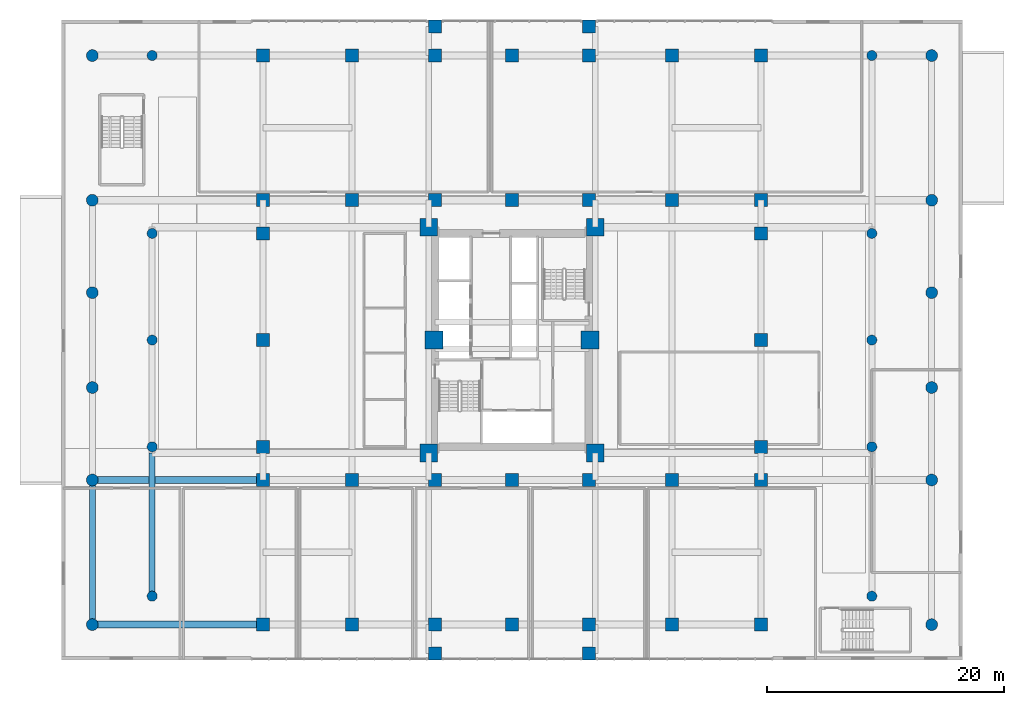
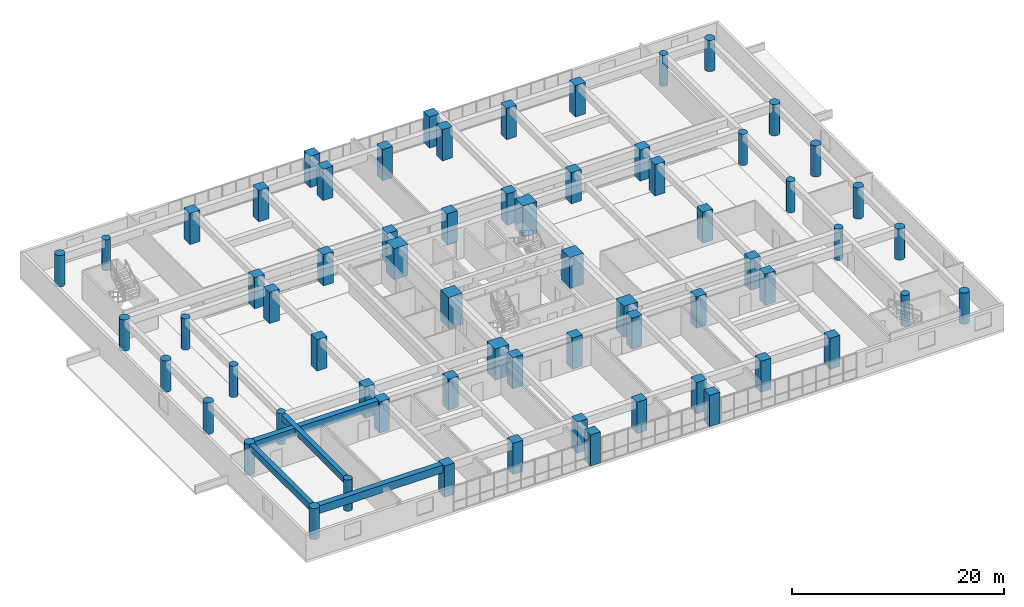
# One storey, part 1 of 27: 66 columns, 4 beams.
"""IFC4 building model written with IfcOpenShell, lengths in metres."""

import ifcopenshell
import ifcopenshell.guid

model = None  # the IFC model being written
_history = None  # IfcOwnerHistory: only IFC2X3 demands one
_inside = {}  # id of a spatial element -> (the spatial element, [elements in it])
_under = {}  # id of a project, library or spatial element -> (it, [spatial elements below it])
_declared = {}  # id of a project -> (the project, [libraries it declares])
_typed = {}  # id of a type object -> (the type object, [elements of that type])
_made_of = {}  # id of a material, layer set ... -> (it, [elements and type objects made of it])


def new_model(schema):
    """Start an empty IFC model of exactly this schema.

    Asked for "IFC4X3", IfcOpenShell would pick the latest addendum, in which some entities
    have other attributes; the version numbers below select the first issue.
    IFC2X3 requires an IfcOwnerHistory on every rooted entity: one is made here for all.
    """
    global model, _history
    if schema == "IFC4X3":
        model = ifcopenshell.file(schema_version=(4, 3, 0, 0))
    else:
        model = ifcopenshell.file(schema=schema)
    _inside.clear()
    _under.clear()
    _declared.clear()
    _typed.clear()
    _made_of.clear()
    _history = None
    if model.schema == "IFC2X3":
        org = make("IfcOrganization", Name="unknown")
        user = make(
            "IfcPersonAndOrganization",
            ThePerson=make("IfcPerson", FamilyName="unknown"),
            TheOrganization=org,
        )
        app = make(
            "IfcApplication",
            ApplicationDeveloper=org,
            Version="unknown",
            ApplicationFullName="unknown",
            ApplicationIdentifier="unknown",
        )
        _history = make(
            "IfcOwnerHistory",
            OwningUser=user,
            OwningApplication=app,
            ChangeAction="ADDED",
            CreationDate=0,
        )
    return model


def make(cls, **values):
    """One entity of the class cls with the attributes given. An attribute that is None is left unset."""
    return model.create_entity(
        cls, **{name: value for name, value in values.items() if value is not None}
    )


def rooted(cls, **values):
    """An entity with a GlobalId (a new one), such as an element, a storey or a relation."""
    return make(cls, GlobalId=ifcopenshell.guid.new(), OwnerHistory=_history, **values)


def si_unit(unit_type, name, prefix=None):
    """IfcSIUnit, for example si_unit("LENGTHUNIT", "METRE", prefix="MILLI")."""
    return make("IfcSIUnit", UnitType=unit_type, Prefix=prefix, Name=name)


def assignment(units):
    """IfcUnitAssignment: the units of a project."""
    return None if units is None else make("IfcUnitAssignment", Units=units)


def point(xyz):
    """IfcCartesianPoint."""
    return None if xyz is None else make("IfcCartesianPoint", Coordinates=xyz)


def direction(xyz):
    """IfcDirection."""
    return None if xyz is None else make("IfcDirection", DirectionRatios=xyz)


def frame(location, z_axis=None, x_axis=None):
    """IfcAxis2Placement3D, a coordinate frame: its origin and axes. An axis left out is left unset."""
    return make(
        "IfcAxis2Placement3D",
        Location=point(location),
        Axis=direction(z_axis),
        RefDirection=direction(x_axis),
    )


def frame_2d(location, x_axis=None):
    """IfcAxis2Placement2D, a coordinate frame in the plane: its origin and x axis."""
    return make(
        "IfcAxis2Placement2D", Location=point(location), RefDirection=direction(x_axis)
    )


def origin():
    """The frame at (0, 0, 0) with its axes left unset."""
    return frame((0.0, 0.0, 0.0))


def origin_2d():
    """The frame at (0, 0) in the plane with its x axis left unset."""
    return frame_2d((0.0, 0.0))


def place(relative_to, where):
    """IfcLocalPlacement: puts the frame where relative to a parent placement (None: the world)."""
    return make(
        "IfcLocalPlacement", PlacementRelTo=relative_to, RelativePlacement=where
    )


def context(
    kind, dimensions, precision=None, world=None, true_north=None, identifier=None
):
    """IfcGeometricRepresentationContext, for example the 3D "Model" context."""
    return make(
        "IfcGeometricRepresentationContext",
        ContextIdentifier=identifier,
        ContextType=kind,
        CoordinateSpaceDimension=dimensions,
        Precision=precision,
        WorldCoordinateSystem=world,
        TrueNorth=true_north,
    )


def subcontext(parent, identifier, kind, view, scale=None):
    """IfcGeometricRepresentationSubContext, for example "Body" below "Model"."""
    return make(
        "IfcGeometricRepresentationSubContext",
        ContextIdentifier=identifier,
        ContextType=kind,
        ParentContext=parent,
        TargetScale=scale,
        TargetView=view,
    )


def project(units=None, contexts=None):
    """IfcProject with its units and contexts."""
    return rooted(
        "IfcProject",
        Name="project",
        RepresentationContexts=contexts,
        UnitsInContext=assignment(units),
    )


def spatial(cls, under=None, at=None, **own):
    """A site, building, storey or space (cls), placed at a placement, below another one or the project."""
    s = rooted(cls, ObjectPlacement=at, **own)
    if under is not None:
        _under.setdefault(under.id(), (under, []))[1].append(s)
    return s


def profile(cls, at=None, kind="AREA", **sizes):
    """A parametric profile (cls). Its sizes go by their IFC names, for example OverallWidth=200.0."""
    return make(cls, ProfileType=kind, Position=at, **sizes)


def rectangle(**sizes):
    """IfcRectangleProfileDef."""
    return profile("IfcRectangleProfileDef", **sizes)


def circle(**sizes):
    """IfcCircleProfileDef."""
    return profile("IfcCircleProfileDef", **sizes)


def extrude(swept, where, along, depth):
    """IfcExtrudedAreaSolid: the profile swept, set in the frame where, extruded along a direction by depth."""
    return make(
        "IfcExtrudedAreaSolid",
        SweptArea=swept,
        Position=where,
        ExtrudedDirection=direction(along),
        Depth=depth,
    )


def shape(context_of_items, identifier, shape_type, items):
    """IfcShapeRepresentation: the items that make up one representation, for example the "Body"."""
    return make(
        "IfcShapeRepresentation",
        ContextOfItems=context_of_items,
        RepresentationIdentifier=identifier,
        RepresentationType=shape_type,
        Items=items,
    )


def source(mapping_origin, context_of_items, identifier, shape_type, items):
    """IfcRepresentationMap: a shape defined once, which mapped items show again and again."""
    return make(
        "IfcRepresentationMap",
        MappingOrigin=mapping_origin,
        MappedRepresentation=shape(context_of_items, identifier, shape_type, items),
    )


def transform(
    local_origin,
    x_axis=None,
    y_axis=None,
    z_axis=None,
    scale=None,
    scale2=None,
    scale3=None,
    uniform=True,
):
    """IfcCartesianTransformationOperator3D, or its non-uniform kind. x_axis, y_axis, z_axis: its Axis1, 2, 3."""
    if uniform:
        return make(
            "IfcCartesianTransformationOperator3D",
            Axis1=direction(x_axis),
            Axis2=direction(y_axis),
            LocalOrigin=point(local_origin),
            Scale=scale,
            Axis3=direction(z_axis),
        )
    return make(
        "IfcCartesianTransformationOperator3DnonUniform",
        Axis1=direction(x_axis),
        Axis2=direction(y_axis),
        LocalOrigin=point(local_origin),
        Scale=scale,
        Axis3=direction(z_axis),
        Scale2=scale2,
        Scale3=scale3,
    )


def mapped(mapping_source, mapping_target):
    """IfcMappedItem: shows the shape of a source again, moved by a transform."""
    return make(
        "IfcMappedItem", MappingSource=mapping_source, MappingTarget=mapping_target
    )


def material(Name=None, Category=None):
    """IfcMaterial."""
    return make("IfcMaterial", Name=Name, Category=Category)


def material_profile(
    of_material, cross_section, Name=None, Category=None, Priority=None
):
    """IfcMaterialProfile: a cross section and its material."""
    return make(
        "IfcMaterialProfile",
        Name=Name,
        Material=of_material,
        Profile=cross_section,
        Priority=Priority,
        Category=Category,
    )


def profile_set(profiles, Name=None, composite=None):
    """IfcMaterialProfileSet."""
    return make(
        "IfcMaterialProfileSet",
        Name=Name,
        MaterialProfiles=profiles,
        CompositeProfile=composite,
    )


def made_of(thing, what):
    """Note that an element or type object is made of a material, layer set ...; save() writes the relation."""
    if what is not None:
        _made_of.setdefault(what.id(), (what, []))[1].append(thing)
    return thing


def type_object(cls, material=None, **own):
    """A type object (cls), such as IfcWallType, which elements share."""
    return made_of(rooted(cls, **own), material)


def element(
    cls,
    number,
    at=None,
    inside=None,
    cuts=None,
    type_object=None,
    material=None,
    context=None,
    identifier="Body",
    shape_type=None,
    held_by="IfcProductDefinitionShape",
    body=None,
    shapes=None,
    **own,
):
    """One element of the class cls, such as IfcWall. Its Tag is "e" and its number.

    at: its placement. inside: the storey or other place that contains it. cuts: it is an
    opening in that element (IfcRelVoidsElement). A single representation is given by context,
    identifier, shape_type and body (its items); several are given by shapes. held_by: the class
    of the entity that holds the representations. save() writes the other relations.
    """
    e = rooted(cls, Tag="e%d" % number, ObjectPlacement=at, **own)
    if body is not None:
        shapes = [shape(context, identifier, shape_type, body)]
    if shapes is not None:
        e.Representation = make(held_by, Representations=shapes)
    if inside is not None:
        _inside.setdefault(inside.id(), (inside, []))[1].append(e)
    if cuts is not None:
        rooted(
            "IfcRelVoidsElement", RelatingBuildingElement=cuts, RelatedOpeningElement=e
        )
    if type_object is not None:
        _typed.setdefault(type_object.id(), (type_object, []))[1].append(e)
    return made_of(e, material)


def aggregate(whole, parts):
    """IfcRelAggregates: a whole, such as a stair, and the parts it consists of."""
    return rooted("IfcRelAggregates", RelatingObject=whole, RelatedObjects=parts)


def save(model, path):
    """Write the relations noted so far, then the file.

    IfcRelAggregates (storeys below a building ...), IfcRelContainedInSpatialStructure (elements
    in a storey), IfcRelDefinesByType, IfcRelAssociatesMaterial and IfcRelDeclares: one each for
    every whole, place, type object, material and project.
    """
    for whole, parts in _under.values():
        aggregate(whole, parts)
    for where, things in _inside.values():
        rooted(
            "IfcRelContainedInSpatialStructure",
            RelatedElements=things,
            RelatingStructure=where,
        )
    for kind, things in _typed.values():
        rooted("IfcRelDefinesByType", RelatedObjects=things, RelatingType=kind)
    for what, things in _made_of.values():
        rooted("IfcRelAssociatesMaterial", RelatedObjects=things, RelatingMaterial=what)
    for by, libraries in _declared.values():
        rooted("IfcRelDeclares", RelatingContext=by, RelatedDefinitions=libraries)
    model.write(path)


model = new_model("IFC4")

# Units and contexts
model_context = context("Model", 3, precision=1e-05, world=origin(), true_north=direction((0.0, 1.0)))
body_context = subcontext(model_context, "Body", "Model", "MODEL_VIEW")
ifc_project = project(units=[si_unit("LENGTHUNIT", "METRE"), si_unit("AREAUNIT", "SQUARE_METRE"), si_unit("VOLUMEUNIT", "CUBIC_METRE"), si_unit("PLANEANGLEUNIT", "RADIAN"), si_unit("MASSUNIT", "GRAM", prefix="KILO")], contexts=[model_context])

# Site, building, storey
site_placement = place(None, origin())
site = spatial("IfcSite", under=ifc_project, at=site_placement, CompositionType="ELEMENT")
building_placement = place(site_placement, origin())
building = spatial("IfcBuilding", under=site, at=building_placement, Name="Saelheon Loggia Tower", CompositionType="ELEMENT")
storey_placement = place(building_placement, frame((0.0, 0.0, 4.199951171875)))
storey = spatial("IfcBuildingStorey", under=building, at=storey_placement, Name="L01", CompositionType="ELEMENT", Elevation=4.199951171875)

# Columns
ifc_material_1 = material(Name="Concrete C60/75", Category="concrete")
ifc_material_profile_1 = material_profile(ifc_material_1, rectangle(XDim=1.5, YDim=1.5, at=origin_2d()), Name="RC-1500x1500")
ifc_profile_set_1 = profile_set([ifc_material_profile_1], Name="Concrete C60/75")
column_type_1 = type_object("IfcColumnType", Name="Col_Core_RC1500", PredefinedType="COLUMN", material=ifc_profile_set_1)
shared_shape_1 = source(origin(), body_context, "Body", "SweptSolid", [
    extrude(rectangle(XDim=1.5, YDim=1.5, at=origin_2d()), origin(), (0.0, 0.0, 1.0), 3.60009765625),
])
for number, where, z_axis, x_axis, name in (
    (1, (30.97998046875, 17.47998046875, 0.0), (0.0, 0.0, 1.0), (1.0, 0.0, 0.0), "L01 Core Column CR-SW"),
    (2, (45.02001953125, 17.47998046875, 0.0), (0.0, 0.0, 1.0), (1.0, 0.0, 0.0), "L01 Core Column CR-SE"),
    (3, (30.97998046875, 36.52001953125, 0.0), (0.0, 0.0, 1.0), (1.0, 0.0, 0.0), "L01 Core Column CR-NW"),
    (4, (45.02001953125, 36.52001953125, 0.0), (0.0, 0.0, 1.0), (1.0, 0.0, 0.0), "L01 Core Column CR-NE"),
    (5, (31.419921875, 27.0, 0.0), (0.0, 0.0, 1.0), (1.0, 0.0, 0.0), "L01 Core Column CR-MW"),
    (6, (44.580078125, 27.0, 0.0), (0.0, 0.0, 1.0), (1.0, 0.0, 0.0), "L01 Core Column CR-ME"),
):
    element("IfcColumn", number, at=place(storey_placement, frame(where, z_axis=z_axis, x_axis=x_axis)), inside=storey, type_object=column_type_1, Name=name, PredefinedType="COLUMN", context=body_context, shape_type="MappedRepresentation", body=[
        mapped(shared_shape_1, transform((0.0, 0.0, 0.0), scale=1.0)),
    ])
ifc_material_2 = material(Name="Concrete C50/60", Category="concrete")
ifc_material_profile_2 = material_profile(ifc_material_2, circle(Radius=0.5, at=origin_2d()), Name="CIRC-1000")
ifc_profile_set_2 = profile_set([ifc_material_profile_2], Name="Concrete C50/60")
column_type_2 = type_object("IfcColumnType", Name="Col_Podium_CIRC1000", PredefinedType="COLUMN", material=ifc_profile_set_2)
shared_shape_2 = source(origin(), body_context, "Body", "SweptSolid", [
    extrude(circle(Radius=0.5, at=origin_2d()), origin(), (0.0, 0.0, 1.0), 3.60009765625),
])
for number, where, z_axis, x_axis, name in (
    (7, (2.60009765625, 3.0, 0.0), (0.0, 0.0, 1.0), (1.0, 0.0, 0.0), "L01 Podium Column PW1"),
    (8, (73.39990234375, 3.0, 0.0), (0.0, 0.0, 1.0), (1.0, 0.0, 0.0), "L01 Podium Column PE1"),
    (9, (2.60009765625, 15.199951171875, 0.0), (0.0, 0.0, 1.0), (1.0, 0.0, 0.0), "L01 Podium Column PW2"),
    (10, (73.39990234375, 15.199951171875, 0.0), (0.0, 0.0, 1.0), (1.0, 0.0, 0.0), "L01 Podium Column PE2"),
    (11, (2.60009765625, 23.0, 0.0), (0.0, 0.0, 1.0), (1.0, 0.0, 0.0), "L01 Podium Column PW3"),
    (12, (73.39990234375, 23.0, 0.0), (0.0, 0.0, 1.0), (1.0, 0.0, 0.0), "L01 Podium Column PE3"),
    (13, (2.60009765625, 31.0, 0.0), (0.0, 0.0, 1.0), (1.0, 0.0, 0.0), "L01 Podium Column PW4"),
    (14, (73.39990234375, 31.0, 0.0), (0.0, 0.0, 1.0), (1.0, 0.0, 0.0), "L01 Podium Column PE4"),
    (15, (2.60009765625, 38.800048828125, 0.0), (0.0, 0.0, 1.0), (1.0, 0.0, 0.0), "L01 Podium Column PW5"),
    (16, (73.39990234375, 38.800048828125, 0.0), (0.0, 0.0, 1.0), (1.0, 0.0, 0.0), "L01 Podium Column PE5"),
    (17, (2.60009765625, 51.0, 0.0), (0.0, 0.0, 1.0), (1.0, 0.0, 0.0), "L01 Podium Column PW6"),
    (18, (73.39990234375, 51.0, 0.0), (0.0, 0.0, 1.0), (1.0, 0.0, 0.0), "L01 Podium Column PE6"),
):
    element("IfcColumn", number, at=place(storey_placement, frame(where, z_axis=z_axis, x_axis=x_axis)), inside=storey, type_object=column_type_2, Name=name, PredefinedType="COLUMN", context=body_context, shape_type="MappedRepresentation", body=[
        mapped(shared_shape_2, transform((0.0, 0.0, 0.0), scale=1.0)),
    ])
ifc_material_3 = material(Name="Concrete C45/55", Category="concrete")
ifc_material_profile_3 = material_profile(ifc_material_3, circle(Radius=0.425048828125, at=origin_2d()), Name="CIRC-850")
ifc_profile_set_3 = profile_set([ifc_material_profile_3], Name="Concrete C45/55")
column_type_3 = type_object("IfcColumnType", Name="Col_Podium_CIRC850", PredefinedType="COLUMN", material=ifc_profile_set_3)
shared_shape_3 = source(origin(), body_context, "Body", "SweptSolid", [
    extrude(circle(Radius=0.425048828125, at=origin_2d()), origin(), (0.0, 0.0, 1.0), 3.60009765625),
])
for number, where, z_axis, x_axis, name in (
    (19, (7.64990234375, 5.39990234375, 0.0), (0.0, 0.0, 1.0), (1.0, 0.0, 0.0), "L01 Podium Column PMW1"),
    (20, (68.35009765625, 5.39990234375, 0.0), (0.0, 0.0, 1.0), (1.0, 0.0, 0.0), "L01 Podium Column PME1"),
    (21, (7.64990234375, 18.0, 0.0), (0.0, 0.0, 1.0), (1.0, 0.0, 0.0), "L01 Podium Column PMW2"),
    (22, (68.35009765625, 18.0, 0.0), (0.0, 0.0, 1.0), (1.0, 0.0, 0.0), "L01 Podium Column PME2"),
    (23, (7.64990234375, 27.0, 0.0), (0.0, 0.0, 1.0), (1.0, 0.0, 0.0), "L01 Podium Column PMW3"),
    (24, (68.35009765625, 27.0, 0.0), (0.0, 0.0, 1.0), (1.0, 0.0, 0.0), "L01 Podium Column PME3"),
    (25, (7.64990234375, 36.0, 0.0), (0.0, 0.0, 1.0), (1.0, 0.0, 0.0), "L01 Podium Column PMW4"),
    (26, (68.35009765625, 36.0, 0.0), (0.0, 0.0, 1.0), (1.0, 0.0, 0.0), "L01 Podium Column PME4"),
    (27, (7.64990234375, 51.0, 0.0), (0.0, 0.0, 1.0), (1.0, 0.0, 0.0), "L01 Podium Column PMW5"),
    (28, (68.35009765625, 51.0, 0.0), (0.0, 0.0, 1.0), (1.0, 0.0, 0.0), "L01 Podium Column PME5"),
):
    element("IfcColumn", number, at=place(storey_placement, frame(where, z_axis=z_axis, x_axis=x_axis)), inside=storey, type_object=column_type_3, Name=name, PredefinedType="COLUMN", context=body_context, shape_type="MappedRepresentation", body=[
        mapped(shared_shape_3, transform((0.0, 0.0, 0.0), scale=1.0)),
    ])
ifc_material_profile_4 = material_profile(ifc_material_2, rectangle(XDim=1.10009765625, YDim=1.10009765625, at=origin_2d()), Name="RC-1100x1100")
ifc_profile_set_4 = profile_set([ifc_material_profile_4], Name="Concrete C50/60")
column_type_4 = type_object("IfcColumnType", Name="Col_Perim_RC1100", PredefinedType="COLUMN", material=ifc_profile_set_4)
shared_shape_4 = source(origin(), body_context, "Body", "SweptSolid", [
    extrude(rectangle(XDim=1.10009765625, YDim=1.10009765625, at=origin_2d()), origin(), (0.0, 0.0, 1.0), 3.60009765625),
])
for number, where, z_axis, x_axis, name in (
    (29, (17.0, 3.0, 0.0), (0.0, 0.0, 1.0), (1.0, 0.0, 0.0), "L01 Podium Column PIW1"),
    (30, (59.0, 3.0, 0.0), (0.0, 0.0, 1.0), (1.0, 0.0, 0.0), "L01 Podium Column PIE1"),
    (31, (17.0, 15.199951171875, 0.0), (0.0, 0.0, 1.0), (1.0, 0.0, 0.0), "L01 Podium Column PIW2"),
    (32, (59.0, 15.199951171875, 0.0), (0.0, 0.0, 1.0), (1.0, 0.0, 0.0), "L01 Podium Column PIE2"),
    (33, (17.0, 18.0, 0.0), (0.0, 0.0, 1.0), (1.0, 0.0, 0.0), "L01 Podium Column PIW3"),
    (34, (59.0, 18.0, 0.0), (0.0, 0.0, 1.0), (1.0, 0.0, 0.0), "L01 Podium Column PIE3"),
    (35, (17.0, 27.0, 0.0), (0.0, 0.0, 1.0), (1.0, 0.0, 0.0), "L01 Podium Column PIW4"),
    (36, (59.0, 27.0, 0.0), (0.0, 0.0, 1.0), (1.0, 0.0, 0.0), "L01 Podium Column PIE4"),
    (37, (17.0, 36.0, 0.0), (0.0, 0.0, 1.0), (1.0, 0.0, 0.0), "L01 Podium Column PIW5"),
    (38, (59.0, 36.0, 0.0), (0.0, 0.0, 1.0), (1.0, 0.0, 0.0), "L01 Podium Column PIE5"),
    (39, (17.0, 38.800048828125, 0.0), (0.0, 0.0, 1.0), (1.0, 0.0, 0.0), "L01 Podium Column PIW6"),
    (40, (59.0, 38.800048828125, 0.0), (0.0, 0.0, 1.0), (1.0, 0.0, 0.0), "L01 Podium Column PIE6"),
    (41, (17.0, 51.0, 0.0), (0.0, 0.0, 1.0), (1.0, 0.0, 0.0), "L01 Podium Column PIW7"),
    (42, (59.0, 51.0, 0.0), (0.0, 0.0, 1.0), (1.0, 0.0, 0.0), "L01 Podium Column PIE7"),
    (43, (24.5, 3.0, 0.0), (0.0, 0.0, 1.0), (1.0, 0.0, 0.0), "L01 Podium Column C24Y030"),
    (44, (24.5, 15.199951171875, 0.0), (0.0, 0.0, 1.0), (1.0, 0.0, 0.0), "L01 Podium Column C24Y152"),
    (45, (24.5, 38.800048828125, 0.0), (0.0, 0.0, 1.0), (1.0, 0.0, 0.0), "L01 Podium Column C24Y388"),
    (46, (24.5, 51.0, 0.0), (0.0, 0.0, 1.0), (1.0, 0.0, 0.0), "L01 Podium Column C24Y510"),
):
    element("IfcColumn", number, at=place(storey_placement, frame(where, z_axis=z_axis, x_axis=x_axis)), inside=storey, type_object=column_type_4, Name=name, PredefinedType="COLUMN", context=body_context, shape_type="MappedRepresentation", body=[
        mapped(shared_shape_4, transform((0.0, 0.0, 0.0), scale=1.0)),
    ])
ifc_material_profile_5 = material_profile(ifc_material_2, rectangle(XDim=1.10009765625, YDim=1.10009765625, at=origin_2d()), Name="RC-1100x1100")
ifc_profile_set_5 = profile_set([ifc_material_profile_5], Name="Concrete C50/60")
column_type_5 = type_object("IfcColumnType", Name="Col_PerimExt_RC1100", PredefinedType="COLUMN", material=ifc_profile_set_5)
column_1_placement = place(storey_placement, frame((31.5, 0.550048828125, 0.0), z_axis=(0.0, 0.0, 1.0), x_axis=(1.0, 0.0, 0.0)))
element("IfcColumn", 47, at=column_1_placement, inside=storey, type_object=column_type_5, Name="L01 Podium Column C31Y006", PredefinedType="COLUMN", context=body_context, shape_type="MappedRepresentation", body=[
    mapped(shared_shape_4, transform((0.0, 0.0, 0.0), scale=1.0)),
])
for number, where, z_axis, x_axis, name in (
    (48, (31.5, 3.0, 0.0), (0.0, 0.0, 1.0), (1.0, 0.0, 0.0), "L01 Podium Column C31Y030"),
    (49, (31.5, 15.199951171875, 0.0), (0.0, 0.0, 1.0), (1.0, 0.0, 0.0), "L01 Podium Column C31Y152"),
    (50, (31.5, 38.800048828125, 0.0), (0.0, 0.0, 1.0), (1.0, 0.0, 0.0), "L01 Podium Column C31Y388"),
    (51, (31.5, 51.0, 0.0), (0.0, 0.0, 1.0), (1.0, 0.0, 0.0), "L01 Podium Column C31Y510"),
):
    element("IfcColumn", number, at=place(storey_placement, frame(where, z_axis=z_axis, x_axis=x_axis)), inside=storey, type_object=column_type_4, Name=name, PredefinedType="COLUMN", context=body_context, shape_type="MappedRepresentation", body=[
        mapped(shared_shape_4, transform((0.0, 0.0, 0.0), scale=1.0)),
    ])
column_2_placement = place(storey_placement, frame((31.5, 53.449951171875, 0.0), z_axis=(0.0, 0.0, 1.0), x_axis=(1.0, 0.0, 0.0)))
element("IfcColumn", 52, at=column_2_placement, inside=storey, type_object=column_type_5, Name="L01 Podium Column C31Y534", PredefinedType="COLUMN", context=body_context, shape_type="MappedRepresentation", body=[
    mapped(shared_shape_4, transform((0.0, 0.0, 0.0), scale=1.0)),
])
for number, where, z_axis, x_axis, name in (
    (53, (38.0, 3.0, 0.0), (0.0, 0.0, 1.0), (1.0, 0.0, 0.0), "L01 Podium Column C38Y030"),
    (54, (38.0, 15.199951171875, 0.0), (0.0, 0.0, 1.0), (1.0, 0.0, 0.0), "L01 Podium Column C38Y152"),
    (55, (38.0, 38.800048828125, 0.0), (0.0, 0.0, 1.0), (1.0, 0.0, 0.0), "L01 Podium Column C38Y388"),
    (56, (38.0, 51.0, 0.0), (0.0, 0.0, 1.0), (1.0, 0.0, 0.0), "L01 Podium Column C38Y510"),
):
    element("IfcColumn", number, at=place(storey_placement, frame(where, z_axis=z_axis, x_axis=x_axis)), inside=storey, type_object=column_type_4, Name=name, PredefinedType="COLUMN", context=body_context, shape_type="MappedRepresentation", body=[
        mapped(shared_shape_4, transform((0.0, 0.0, 0.0), scale=1.0)),
    ])
column_3_placement = place(storey_placement, frame((44.5, 0.550048828125, 0.0), z_axis=(0.0, 0.0, 1.0), x_axis=(1.0, 0.0, 0.0)))
element("IfcColumn", 57, at=column_3_placement, inside=storey, type_object=column_type_5, Name="L01 Podium Column C44Y006", PredefinedType="COLUMN", context=body_context, shape_type="MappedRepresentation", body=[
    mapped(shared_shape_4, transform((0.0, 0.0, 0.0), scale=1.0)),
])
for number, where, z_axis, x_axis, name in (
    (58, (44.5, 3.0, 0.0), (0.0, 0.0, 1.0), (1.0, 0.0, 0.0), "L01 Podium Column C44Y030"),
    (59, (44.5, 15.199951171875, 0.0), (0.0, 0.0, 1.0), (1.0, 0.0, 0.0), "L01 Podium Column C44Y152"),
    (60, (44.5, 38.800048828125, 0.0), (0.0, 0.0, 1.0), (1.0, 0.0, 0.0), "L01 Podium Column C44Y388"),
    (61, (44.5, 51.0, 0.0), (0.0, 0.0, 1.0), (1.0, 0.0, 0.0), "L01 Podium Column C44Y510"),
):
    element("IfcColumn", number, at=place(storey_placement, frame(where, z_axis=z_axis, x_axis=x_axis)), inside=storey, type_object=column_type_4, Name=name, PredefinedType="COLUMN", context=body_context, shape_type="MappedRepresentation", body=[
        mapped(shared_shape_4, transform((0.0, 0.0, 0.0), scale=1.0)),
    ])
column_4_placement = place(storey_placement, frame((44.5, 53.449951171875, 0.0), z_axis=(0.0, 0.0, 1.0), x_axis=(1.0, 0.0, 0.0)))
element("IfcColumn", 62, at=column_4_placement, inside=storey, type_object=column_type_5, Name="L01 Podium Column C44Y534", PredefinedType="COLUMN", context=body_context, shape_type="MappedRepresentation", body=[
    mapped(shared_shape_4, transform((0.0, 0.0, 0.0), scale=1.0)),
])
for number, where, z_axis, x_axis, name in (
    (63, (51.5, 3.0, 0.0), (0.0, 0.0, 1.0), (1.0, 0.0, 0.0), "L01 Podium Column C51Y030"),
    (64, (51.5, 15.199951171875, 0.0), (0.0, 0.0, 1.0), (1.0, 0.0, 0.0), "L01 Podium Column C51Y152"),
    (65, (51.5, 38.800048828125, 0.0), (0.0, 0.0, 1.0), (1.0, 0.0, 0.0), "L01 Podium Column C51Y388"),
    (66, (51.5, 51.0, 0.0), (0.0, 0.0, 1.0), (1.0, 0.0, 0.0), "L01 Podium Column C51Y510"),
):
    element("IfcColumn", number, at=place(storey_placement, frame(where, z_axis=z_axis, x_axis=x_axis)), inside=storey, type_object=column_type_4, Name=name, PredefinedType="COLUMN", context=body_context, shape_type="MappedRepresentation", body=[
        mapped(shared_shape_4, transform((0.0, 0.0, 0.0), scale=1.0)),
    ])

# Beams
ifc_material_profile_6 = material_profile(ifc_material_2, rectangle(XDim=0.60009765625, YDim=0.89990234375, at=origin_2d()), Name="RC-600x900")
ifc_profile_set_6 = profile_set([ifc_material_profile_6], Name="Concrete C50/60")
beam_type_1 = type_object("IfcBeamType", Name="Beam_MainGirder_RC600x900", PredefinedType="BEAM", material=ifc_profile_set_6)
shared_shape_5 = source(origin(), body_context, "Body", "SweptSolid", [
    extrude(rectangle(XDim=0.60009765625, YDim=0.89990234375, at=origin_2d()), origin(), (0.0, 0.0, 1.0), 14.39990234375),
])
for number, where, z_axis, x_axis, name in (
    (67, (2.60009765625, 3.0, 3.150146484375), (1.0, 0.0, 0.0), (0.0, 1.0, 0.0), "BM-L01-EW-3-1"),
    (68, (2.60009765625, 15.199951171875, 3.150146484375), (1.0, 0.0, 0.0), (0.0, 1.0, 0.0), "BM-L01-EW-15-1"),
):
    element("IfcBeam", number, at=place(storey_placement, frame(where, z_axis=z_axis, x_axis=x_axis)), inside=storey, type_object=beam_type_1, Name=name, PredefinedType="BEAM", context=body_context, shape_type="MappedRepresentation", body=[
        mapped(shared_shape_5, transform((0.0, 0.0, 0.0), scale=1.0)),
    ])
ifc_material_profile_7 = material_profile(ifc_material_3, rectangle(XDim=0.5, YDim=0.75, at=origin_2d()), Name="RC-500x750")
ifc_profile_set_7 = profile_set([ifc_material_profile_7], Name="Concrete C45/55")
beam_type_2 = type_object("IfcBeamType", Name="Beam_PerimGirder_RC500x750", PredefinedType="BEAM", material=ifc_profile_set_7)
shared_shape_6 = source(origin(), body_context, "Body", "SweptSolid", [
    extrude(rectangle(XDim=0.5, YDim=0.75, at=origin_2d()), origin(), (0.0, 0.0, 1.0), 12.199951171875),
])
beam_1_placement = place(storey_placement, frame((2.60009765625, 3.0, 3.22509765625), z_axis=(0.0, 1.0, 0.0), x_axis=(-1.0, 0.0, 0.0)))
element("IfcBeam", 69, at=beam_1_placement, inside=storey, type_object=beam_type_2, Name="BM-L01-NS-2-1", PredefinedType="BEAM", context=body_context, shape_type="MappedRepresentation", body=[
    mapped(shared_shape_6, transform((0.0, 0.0, 0.0), scale=1.0)),
])
ifc_material_profile_8 = material_profile(ifc_material_3, rectangle(XDim=0.5, YDim=0.75, at=origin_2d()), Name="RC-500x750")
ifc_profile_set_8 = profile_set([ifc_material_profile_8], Name="Concrete C45/55")
beam_type_3 = type_object("IfcBeamType", Name="Beam_FloorGirder_RC500x750", PredefinedType="BEAM", material=ifc_profile_set_8)
shared_shape_7 = source(origin(), body_context, "Body", "SweptSolid", [
    extrude(rectangle(XDim=0.5, YDim=0.75, at=origin_2d()), origin(), (0.0, 0.0, 1.0), 12.080078125),
])
beam_2_placement = place(storey_placement, frame((7.64990234375, 5.39990234375, 3.22509765625), z_axis=(0.0, 1.0, 0.0), x_axis=(-1.0, 0.0, 0.0)))
element("IfcBeam", 70, at=beam_2_placement, inside=storey, type_object=beam_type_3, Name="BM-L01-NS-7-1", PredefinedType="BEAM", context=body_context, shape_type="MappedRepresentation", body=[
    mapped(shared_shape_7, transform((0.0, 0.0, 0.0), scale=1.0)),
])

save(model, "model.ifc")
